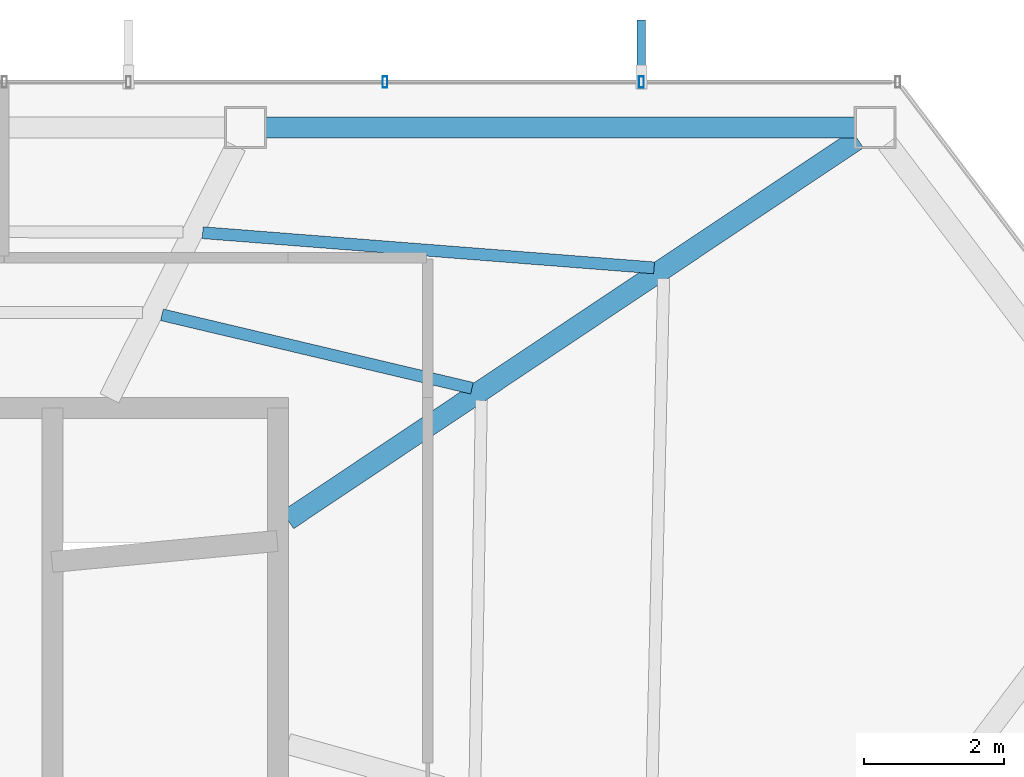
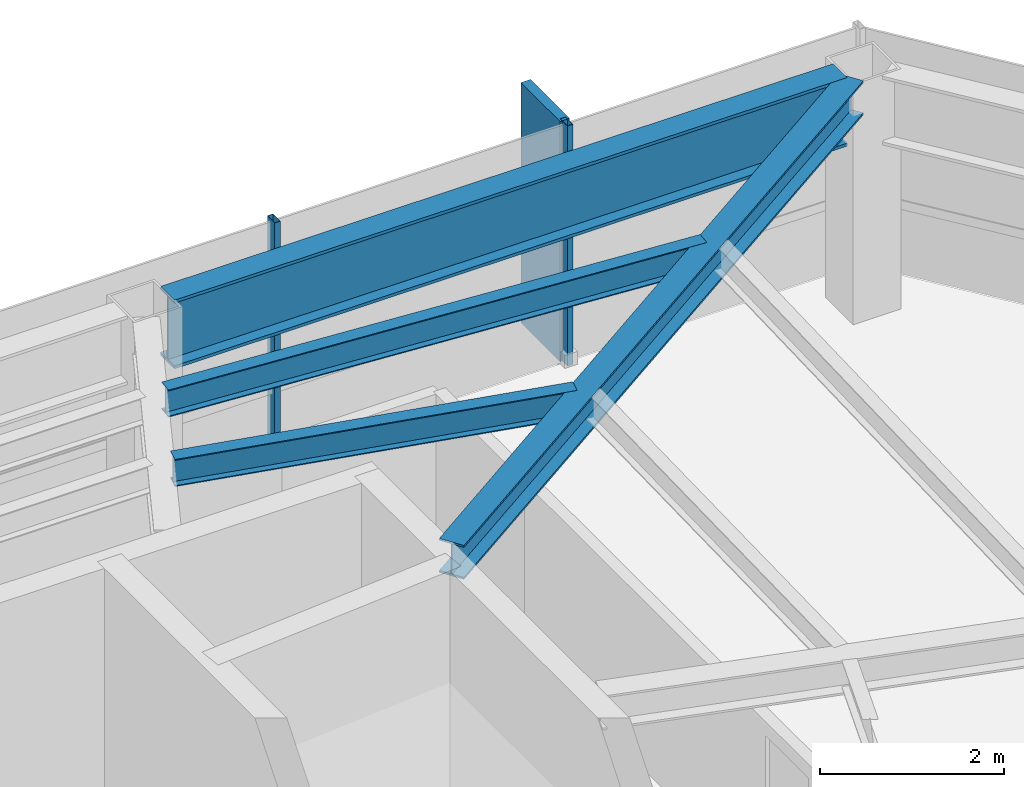
# One storey, part 19 of 25: 4 beams, 3 members, 1 element without a shape of its own.
"""IFC4 building model written with IfcOpenShell, lengths in metres."""

from ifc_helpers import new_model, si_unit, direction, frame, origin, origin_2d, place, context, subcontext, project, spatial, rectangle, hollow_rectangle, i_section, extrude, material, layer, layer_set, material_profile, profile_set, type_object, element, aggregate, save


model = new_model("IFC4")

# Units and contexts
model_context = context("Model", 3, precision=1e-05, world=origin(), true_north=direction((0.0, 1.0)))
body_context = subcontext(model_context, "Body", "Model", "MODEL_VIEW")
ifc_project = project(units=[si_unit("LENGTHUNIT", "METRE"), si_unit("AREAUNIT", "SQUARE_METRE"), si_unit("VOLUMEUNIT", "CUBIC_METRE"), si_unit("PLANEANGLEUNIT", "RADIAN"), si_unit("MASSUNIT", "GRAM", prefix="KILO")], contexts=[model_context])

# Site, building, storey
site_placement = place(None, origin())
site = spatial("IfcSite", under=ifc_project, at=site_placement, CompositionType="ELEMENT")
building_placement = place(site_placement, origin())
building = spatial("IfcBuilding", under=site, at=building_placement, Name="Zarrinselat Tower", CompositionType="ELEMENT")
storey_placement = place(building_placement, frame((0.0, 0.0, 239.360107421875)))
storey = spatial("IfcBuildingStorey", under=building, at=storey_placement, Name="L60", CompositionType="ELEMENT", Elevation=239.360107421875)

# Beams
ifc_material_1 = material(Name="Steel S355J2", Category="steel")
ifc_material_profile_1 = material_profile(ifc_material_1, i_section(OverallWidth=0.300048828125, OverallDepth=0.449951171875, WebThickness=0.013916015625, FlangeThickness=0.02587890625, at=origin_2d()), Name="HEB 450")
ifc_profile_set_1 = profile_set([ifc_material_profile_1], Name="Steel S355J2")
beam_type_1 = type_object("IfcBeamType", Name="BM-HEB450", PredefinedType="BEAM", material=ifc_profile_set_1)
beam_1_placement = place(storey_placement, frame((48.35009765625, 41.800048828125, 2.954833984375), z_axis=(0.831397894197, 0.555677551756, 0.0), x_axis=(-0.555677551756, 0.831397894197, 0.0)))
element("IfcBeam", 1, at=beam_1_placement, inside=storey, type_object=beam_type_1, Name="L60 Radial Primary Girder RG01", PredefinedType="BEAM", context=body_context, shape_type="SweptSolid", body=[
    extrude(i_section(OverallWidth=0.300048828125, OverallDepth=0.449951171875, WebThickness=0.013916015625, FlangeThickness=0.02587890625, at=origin_2d()), origin(), (0.0, 0.0, 1.0), 9.7958984375),
])
ifc_material_2 = material(Name="Steel S460M", Category="steel")
ifc_material_profile_2 = material_profile(ifc_material_2, i_section(OverallWidth=0.302001953125, OverallDepth=0.909912109375, WebThickness=0.02099609375, FlangeThickness=0.0400390625, at=origin_2d()), Name="HEM 900")
ifc_profile_set_2 = profile_set([ifc_material_profile_2], Name="Steel S460M")
beam_type_2 = type_object("IfcBeamType", Name="BM-HEM900", PredefinedType="BEAM", material=ifc_profile_set_2)
beam_2_placement = place(storey_placement, frame((48.033203125, 47.4111328125, 2.724853515625), z_axis=(1.0, 0.0, 0.0), x_axis=(0.0, 1.0, 0.0)))
element("IfcBeam", 2, at=beam_2_placement, inside=storey, type_object=beam_type_2, Name="L60 Perimeter Spandrel Girder SP01", PredefinedType="BEAM", context=body_context, shape_type="SweptSolid", body=[
    extrude(i_section(OverallWidth=0.302001953125, OverallDepth=0.909912109375, WebThickness=0.02099609375, FlangeThickness=0.0400390625, at=origin_2d()), origin(), (0.0, 0.0, 1.0), 8.42431640625),
])
ifc_material_3 = material(Name="Steel S355J2", Category="steel")
ifc_material_profile_3 = material_profile(ifc_material_3, i_section(OverallWidth=0.169921875, OverallDepth=0.360107421875, WebThickness=0.008056640625, FlangeThickness=0.0126953125, at=origin_2d()), Name="IPE 360")
ifc_profile_set_3 = profile_set([ifc_material_profile_3], Name="Steel S355J2")
beam_type_3 = type_object("IfcBeamType", Name="BM-IPE360", PredefinedType="JOIST", material=ifc_profile_set_3)
beam_3_placement = place(storey_placement, frame((47.1337890625, 45.906005859375, 3.0), z_axis=(0.996978551516, -0.077677331425, 0.0), x_axis=(0.077677331425, 0.996978551516, 0.0)))
element("IfcBeam", 3, at=beam_3_placement, inside=storey, type_object=beam_type_3, Name="L60 Composite Floor Joist 6-1", PredefinedType="JOIST", context=body_context, shape_type="SweptSolid", body=[
    extrude(i_section(OverallWidth=0.169921875, OverallDepth=0.360107421875, WebThickness=0.008056640625, FlangeThickness=0.0126953125, at=origin_2d()), origin(), (0.0, 0.0, 1.0), 6.471435546875),
])
beam_4_placement = place(storey_placement, frame((46.551513671875, 44.732177734375, 3.0), z_axis=(0.973103379517, -0.23036886242, 0.0), x_axis=(0.23036886242, 0.973103379517, 0.0)))
element("IfcBeam", 4, at=beam_4_placement, inside=storey, type_object=beam_type_3, Name="L60 Composite Floor Joist 6-2", PredefinedType="JOIST", context=body_context, shape_type="SweptSolid", body=[
    extrude(i_section(OverallWidth=0.169921875, OverallDepth=0.360107421875, WebThickness=0.008056640625, FlangeThickness=0.0126953125, at=origin_2d()), origin(), (0.0, 0.0, 1.0), 4.553955078125),
])

# Curtain wall, members
ifc_material_4 = material(Name="Extruded Aluminium Alloy EN AW-6063 T6", Category="aluminium")
ifc_layer = layer(ifc_material_4, 0.169921875)
ifc_layer_set = layer_set([ifc_layer], Name="Extruded Aluminium Alloy EN AW-6063 T6")
curtain_wall_type = type_object("IfcCurtainWallType", Name="CWS-RES", PredefinedType="NOTDEFINED", material=ifc_layer_set)
curtain_wall_placement = place(storey_placement, origin())
curtain_wall = element("IfcCurtainWall", 5, at=curtain_wall_placement, inside=storey, type_object=curtain_wall_type, Name="L60 Unitised Curtain Wall CW-L60-E01", PredefinedType="NOTDEFINED")
ifc_material_5 = material(Name="Extruded Aluminium Alloy EN AW-6063 T6", Category="aluminium")
ifc_material_profile_4 = material_profile(ifc_material_5, hollow_rectangle(XDim=0.070068359375, YDim=0.159912109375, WallThickness=0.00390625, at=origin_2d()), Name="RHS 160x70x4")
ifc_profile_set_4 = profile_set([ifc_material_profile_4], Name="Extruded Aluminium Alloy EN AW-6063 T6")
member_type_1 = type_object("IfcMemberType", Name="MEM-CW-MUL2", PredefinedType="MULLION", material=ifc_profile_set_4)
member_1_placement = place(storey_placement, frame((53.40380859375, 48.06103515625, 0.0), z_axis=(0.0, 0.0, 1.0), x_axis=(-1.0, 0.0, 0.0)))
member_1 = element("IfcMember", 6, at=member_1_placement, type_object=member_type_1, Name="CW-L60-E01 Mullion 1", PredefinedType="MULLION", context=body_context, shape_type="SweptSolid", body=[
    extrude(hollow_rectangle(XDim=0.070068359375, YDim=0.159912109375, WallThickness=0.00390625, at=origin_2d()), origin(), (0.0, 0.0, 1.0), 3.179931640625),
])
member_2_placement = place(storey_placement, frame((49.739013671875, 48.06103515625, 0.0), z_axis=(0.0, 0.0, 1.0), x_axis=(-1.0, 0.0, 0.0)))
member_2 = element("IfcMember", 7, at=member_2_placement, type_object=member_type_1, Name="CW-L60-E01 Mullion 2", PredefinedType="MULLION", context=body_context, shape_type="SweptSolid", body=[
    extrude(hollow_rectangle(XDim=0.070068359375, YDim=0.159912109375, WallThickness=0.00390625, at=origin_2d()), origin(), (0.0, 0.0, 1.0), 3.179931640625),
])
ifc_material_6 = material(Name="Honed Cream Travertine Stone", Category="masonry")
ifc_material_profile_5 = material_profile(ifc_material_6, rectangle(XDim=0.1201171875, YDim=0.85009765625, at=origin_2d()), Name="FIN 850x120")
ifc_profile_set_5 = profile_set([ifc_material_profile_5], Name="Honed Cream Travertine Stone")
member_type_2 = type_object("IfcMemberType", Name="MEM-STONE-FIN", PredefinedType="USERDEFINED", material=ifc_profile_set_5)
member_3_placement = place(storey_placement, frame((53.40380859375, 48.52099609375, 0.0), z_axis=(0.0, 0.0, 1.0), x_axis=(1.0, 0.0, 0.0)))
member_3 = element("IfcMember", 8, at=member_3_placement, type_object=member_type_2, Name="L60 Stone Shading Fin CW-L60-E01-01", ObjectType="FIN", PredefinedType="USERDEFINED", context=body_context, shape_type="SweptSolid", body=[
    extrude(rectangle(XDim=0.1201171875, YDim=0.85009765625, at=origin_2d()), origin(), (0.0, 0.0, 1.0), 3.179931640625),
])
aggregate(curtain_wall, [member_1, member_3, member_2])

save(model, "model.ifc")
